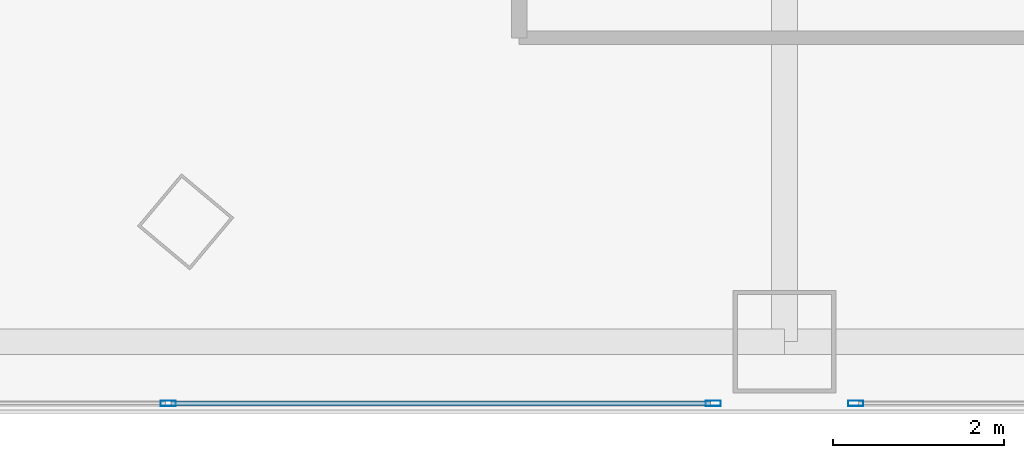
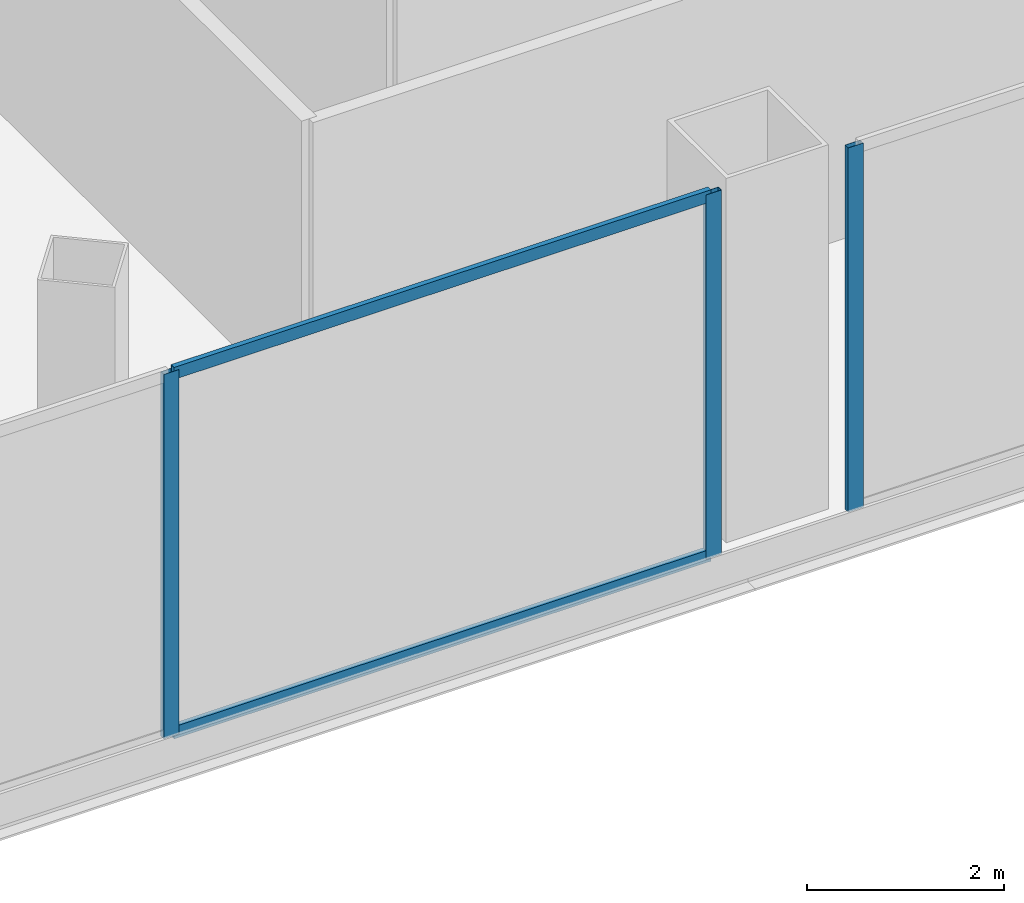
# One storey, part 5 of 40: 5 members, 2 elements without a shape of their own.
"""IFC4 building model written with IfcOpenShell, lengths in metres."""

from ifc_helpers import new_model, si_unit, direction, frame, origin, origin_2d, place, context, subcontext, project, spatial, hollow_rectangle, extrude, source, transform, mapped, material, layer, layer_set, material_profile, profile_set, type_object, element, aggregate, save


model = new_model("IFC4")

# Units and contexts
model_context = context("Model", 3, precision=1e-05, world=origin(), true_north=direction((0.0, 1.0)))
body_context = subcontext(model_context, "Body", "Model", "MODEL_VIEW")
ifc_project = project(units=[si_unit("LENGTHUNIT", "METRE"), si_unit("AREAUNIT", "SQUARE_METRE"), si_unit("VOLUMEUNIT", "CUBIC_METRE"), si_unit("PLANEANGLEUNIT", "RADIAN"), si_unit("MASSUNIT", "GRAM", prefix="KILO"), si_unit("THERMODYNAMICTEMPERATUREUNIT", "KELVIN"), si_unit("POWERUNIT", "WATT")], contexts=[model_context])

# Site, building, storey
site_placement = place(None, origin())
site = spatial("IfcSite", under=ifc_project, at=site_placement, CompositionType="ELEMENT")
building_placement = place(site_placement, origin())
building = spatial("IfcBuilding", under=site, at=building_placement, Name="Yunzhuo Pagoda Commons", CompositionType="ELEMENT")
storey_placement = place(building_placement, frame((0.0, 0.0, 14.39990234375)))
storey = spatial("IfcBuildingStorey", under=building, at=storey_placement, Name="L04", CompositionType="ELEMENT", Elevation=14.39990234375)

# Curtain wall, members
ifc_material = material(Name="Anodized aluminium 6063-T6", Category="aluminium")
ifc_layer = layer(ifc_material, 0.179931640625)
ifc_layer_set = layer_set([ifc_layer], Name="Anodized aluminium 6063-T6")
curtain_wall_type = type_object("IfcCurtainWallType", Name="CW-POD Waterfront Podium Curtain Wall", PredefinedType="NOTDEFINED", material=ifc_layer_set)
curtain_wall_1_placement = place(storey_placement, origin())
curtain_wall_1 = element("IfcCurtainWall", 1, at=curtain_wall_1_placement, inside=storey, type_object=curtain_wall_type, Name="L04 curtain wall CW-L04-S2", PredefinedType="NOTDEFINED")
ifc_material_profile_1 = material_profile(ifc_material, hollow_rectangle(XDim=0.06494140625, YDim=0.179931640625, WallThickness=0.00390625, at=origin_2d()), Name="Anodized aluminium 6063-T6")
ifc_profile_set_1 = profile_set([ifc_material_profile_1], Name="Anodized aluminium 6063-T6")
member_type_1 = type_object("IfcMemberType", Name="CW-POD-M Mullion RHS 180x65x4", PredefinedType="MULLION", material=ifc_profile_set_1)
shared_shape_1 = source(origin(), body_context, "Body", "SweptSolid", [
    extrude(hollow_rectangle(XDim=0.06494140625, YDim=0.179931640625, WallThickness=0.00390625, at=origin_2d()), origin(), (0.0, 0.0, 1.0), 4.52001953125),
])
member_1_placement = place(storey_placement, frame((26.39990234375, 6.080078125, 0.0), z_axis=(0.0, 0.0, 1.0), x_axis=(0.0, 1.0, 0.0)))
member_1 = element("IfcMember", 2, at=member_1_placement, type_object=member_type_1, Name="CW mullion 2", PredefinedType="MULLION", context=body_context, shape_type="MappedRepresentation", body=[
    mapped(shared_shape_1, transform((0.0, 0.0, 0.0), scale=1.0)),
])
member_2_placement = place(storey_placement, frame((32.767578125, 6.080078125, 0.0), z_axis=(0.0, 0.0, 1.0), x_axis=(0.0, 1.0, 0.0)))
member_2 = element("IfcMember", 3, at=member_2_placement, type_object=member_type_1, Name="CW mullion 3", PredefinedType="MULLION", context=body_context, shape_type="MappedRepresentation", body=[
    mapped(shared_shape_1, transform((0.0, 0.0, 0.0), scale=1.0)),
])

# Curtain wall, member
curtain_wall_2_placement = place(storey_placement, origin())
curtain_wall_2 = element("IfcCurtainWall", 4, at=curtain_wall_2_placement, inside=storey, type_object=curtain_wall_type, Name="L04 curtain wall CW-L04-S3", PredefinedType="NOTDEFINED")
member_3_placement = place(storey_placement, frame((34.4326171875, 6.080078125, 0.0), z_axis=(0.0, 0.0, 1.0), x_axis=(0.0, 1.0, 0.0)))
member_3 = element("IfcMember", 5, at=member_3_placement, type_object=member_type_1, Name="CW mullion 1", PredefinedType="MULLION", context=body_context, shape_type="MappedRepresentation", body=[
    mapped(shared_shape_1, transform((0.0, 0.0, 0.0), scale=1.0)),
])
aggregate(curtain_wall_2, [member_3])

# Member
ifc_material_profile_2 = material_profile(ifc_material, hollow_rectangle(XDim=0.06005859375, YDim=0.14990234375, WallThickness=0.00390625, at=origin_2d()), Name="Anodized aluminium 6063-T6")
ifc_profile_set_2 = profile_set([ifc_material_profile_2], Name="Anodized aluminium 6063-T6")
member_type_2 = type_object("IfcMemberType", Name="CW-POD-T Transom RHS 150x60x4", PredefinedType="USERDEFINED", material=ifc_profile_set_2)
shared_shape_2 = source(origin(), body_context, "Body", "SweptSolid", [
    extrude(hollow_rectangle(XDim=0.06005859375, YDim=0.14990234375, WallThickness=0.00390625, at=origin_2d()), origin(), (0.0, 0.0, 1.0), 6.302490234375),
])
member_4_placement = place(storey_placement, frame((26.4326171875, 6.080078125, 0.030029296875), z_axis=(1.0, 0.0, 0.0), x_axis=(0.0, 1.0, 0.0)))
member_4 = element("IfcMember", 6, at=member_4_placement, type_object=member_type_2, Name="CW transom 2.1", ObjectType="TRANSOM", PredefinedType="USERDEFINED", context=body_context, shape_type="MappedRepresentation", body=[
    mapped(shared_shape_2, transform((0.0, 0.0, 0.0), scale=1.0)),
])

member_5_placement = place(storey_placement, frame((26.4326171875, 6.080078125, 4.489990234375), z_axis=(1.0, 0.0, 0.0), x_axis=(0.0, 1.0, 0.0)))
member_5 = element("IfcMember", 7, at=member_5_placement, type_object=member_type_2, Name="CW transom 2.2", ObjectType="TRANSOM", PredefinedType="USERDEFINED", context=body_context, shape_type="MappedRepresentation", body=[
    mapped(shared_shape_2, transform((0.0, 0.0, 0.0), scale=1.0)),
])

aggregate(curtain_wall_1, [member_1, member_2, member_4, member_5])

save(model, "model.ifc")
